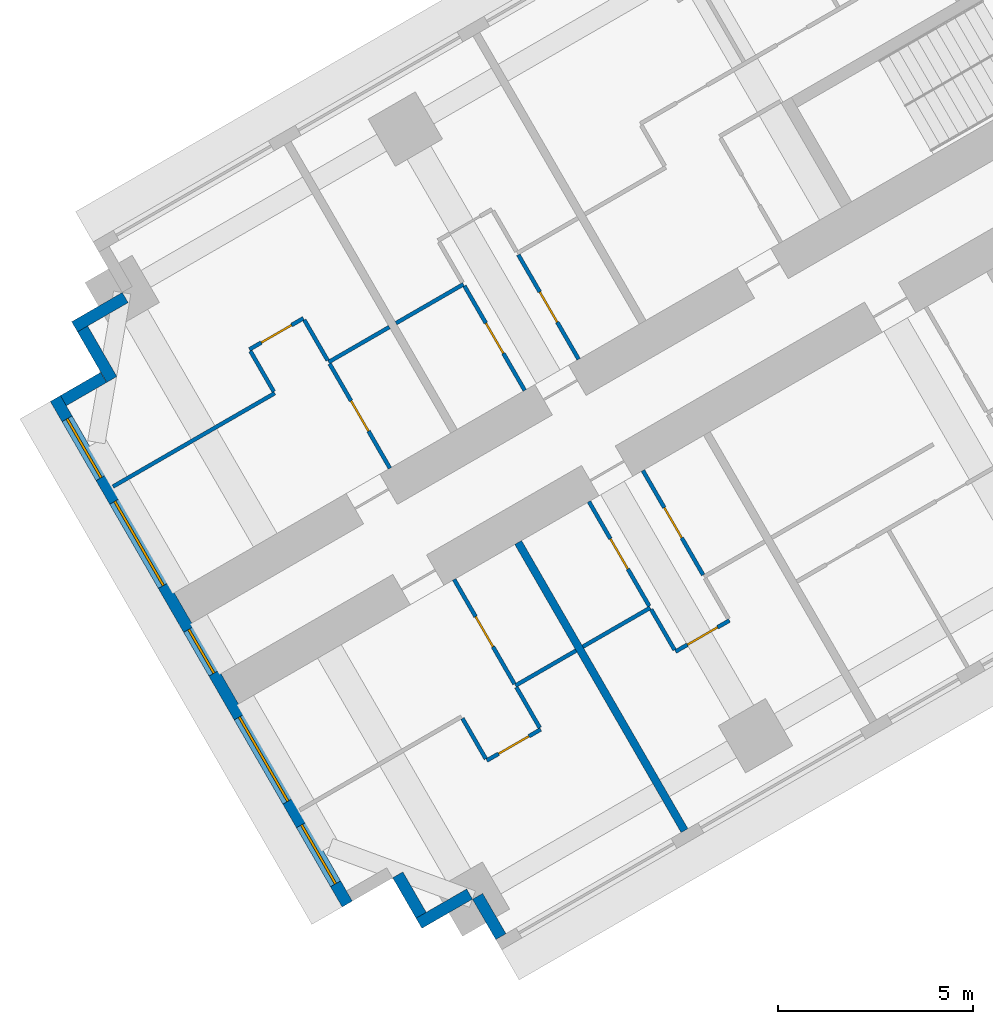
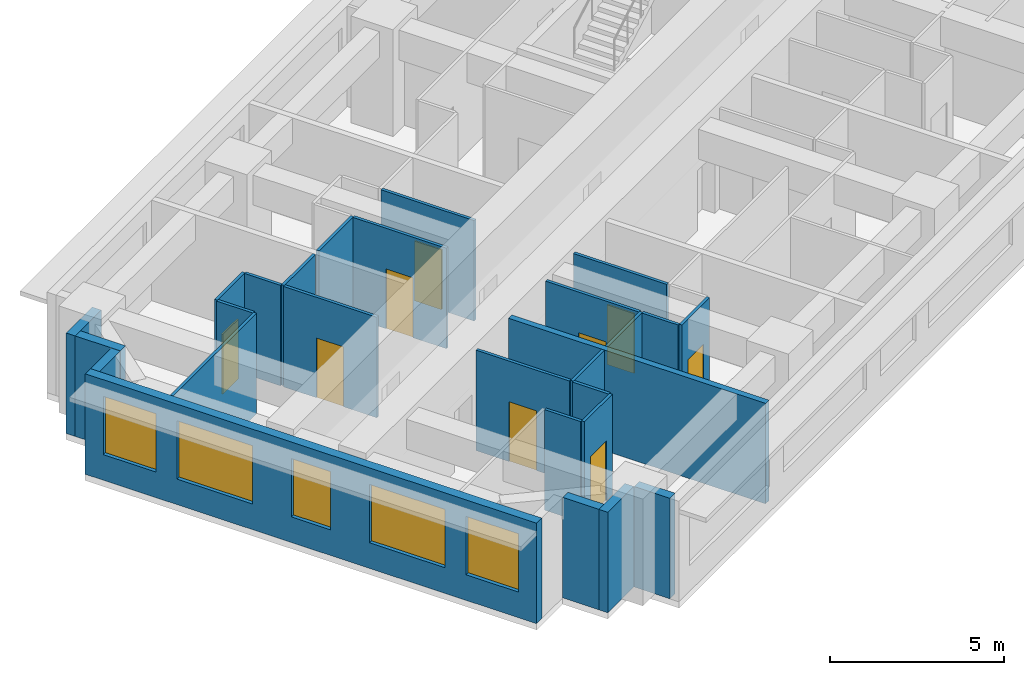
# One storey, part 3 of 16: 27 walls, 9 doors, 5 windows, 14 openings.
"""IFC4 building model written with IfcOpenShell, lengths in metres."""

from ifc_helpers import new_model, si_unit, direction, frame, frame_2d, origin, place, context, subcontext, project, spatial, rectangle, extrude, material, layer, layer_set, type_object, element, fill, save


model = new_model("IFC4")

# Units and contexts
model_context = context("Model", 3, precision=1e-05, world=origin(), true_north=direction((0.0, 1.0)))
body_context = subcontext(model_context, "Body", "Model", "MODEL_VIEW")
ifc_project = project(units=[si_unit("LENGTHUNIT", "METRE"), si_unit("AREAUNIT", "SQUARE_METRE"), si_unit("VOLUMEUNIT", "CUBIC_METRE"), si_unit("PLANEANGLEUNIT", "RADIAN"), si_unit("MASSUNIT", "GRAM", prefix="KILO")], contexts=[model_context])

# Site, building, storey
site_placement = place(None, origin())
site = spatial("IfcSite", under=ifc_project, at=site_placement, CompositionType="ELEMENT")
building_placement = place(site_placement, origin())
building = spatial("IfcBuilding", under=site, at=building_placement, Name="Impinga Residences", CompositionType="ELEMENT")
storey_placement = place(building_placement, frame((0.0, 0.0, 56.0)))
storey = spatial("IfcBuildingStorey", under=building, at=storey_placement, Name="L13", CompositionType="ELEMENT", Elevation=56.0)

# Walls
ifc_material_1 = material(Name="Terracotta rainscreen on blockwork", Category="masonry")
ifc_layer_1 = layer(ifc_material_1, 0.300048828125)
ifc_layer_set_1 = layer_set([ifc_layer_1], Name="EW1 external wall, terracotta rainscreen on blockwork 300")
wall_type_1 = type_object("IfcWallType", Name="EW1 external wall, terracotta rainscreen on blockwork 300", PredefinedType="SOLIDWALL", material=ifc_layer_set_1)
wall_1_placement = place(storey_placement, frame((-33.7685546875, -31.274169921875, 0.0), z_axis=(0.0, 0.0, 1.0), x_axis=(-0.499940577336, 0.866059708757, 0.0)))
element("IfcWall", 1, at=wall_1_placement, inside=storey, type_object=wall_type_1, Name="External wall EW1 L13", PredefinedType="SOLIDWALL", context=body_context, shape_type="SweptSolid", body=[
    extrude(rectangle(XDim=1.195068359375, YDim=0.300048828125, at=frame_2d((0.59765625, 0.0))), origin(), (0.0, 0.0, 1.0), 3.530029296875),
])
wall_2_placement = place(storey_placement, frame((-34.573486328125, -30.18017578125, 0.0), z_axis=(0.0, 0.0, 1.0), x_axis=(-0.866031096941, -0.499990139034, 0.0)))
element("IfcWall", 2, at=wall_2_placement, inside=storey, type_object=wall_type_1, Name="External wall EW1 L13", PredefinedType="SOLIDWALL", context=body_context, shape_type="SweptSolid", body=[
    extrude(rectangle(XDim=1.5, YDim=0.300048828125, at=frame_2d((0.75, 0.0))), origin(), (0.0, 0.0, 1.0), 3.530029296875),
])
wall_3_placement = place(storey_placement, frame((-35.817626953125, -30.72509765625, 0.0), z_axis=(0.0, 0.0, 1.0), x_axis=(-0.499969057507, 0.866043267704, 0.0)))
element("IfcWall", 3, at=wall_3_placement, inside=storey, type_object=wall_type_1, Name="External wall EW1 L13", PredefinedType="SOLIDWALL", context=body_context, shape_type="SweptSolid", body=[
    extrude(rectangle(XDim=1.19970703125, YDim=0.300048828125, at=frame_2d((0.599853515625, 0.0))), origin(), (0.0, 0.0, 1.0), 3.530029296875),
])

# Wall, openings, windows
wall_4_placement = place(storey_placement, frame((-37.716552734375, -30.43603515625, 0.0), z_axis=(0.0, 0.0, 1.0), x_axis=(-0.499997186618, 0.866027028085, 0.0)))
wall_4 = element("IfcWall", 4, at=wall_4_placement, inside=storey, type_object=wall_type_1, Name="External wall EW1 L13", PredefinedType="SOLIDWALL", context=body_context, shape_type="SweptSolid", body=[
    extrude(rectangle(XDim=15.0, YDim=0.300048828125, at=frame_2d((7.5, 0.0))), origin(), (0.0, 0.0, 1.0), 3.530029296875),
])
opening_1_placement = place(wall_4_placement, frame((0.60009765625, 0.0, 0.89990234375)))
opening_1 = element("IfcOpeningElement", 5, at=opening_1_placement, cuts=wall_4, Name="Opening W1", PredefinedType="OPENING", context=body_context, shape_type="SweptSolid", body=[
    extrude(rectangle(XDim=1.75, YDim=2.050048828125, at=frame_2d((0.875, 1.02490234375))), frame((0.0, 0.159912109375, 0.0), z_axis=(0.0, -1.0, 0.0), x_axis=(1.0, 0.0, 0.0)), (0.0, 0.0, 1.0), 0.320068359375),
])
opening_2_placement = place(wall_4_placement, frame((3.050048828125, 0.0, 0.89990234375)))
opening_2 = element("IfcOpeningElement", 6, at=opening_2_placement, cuts=wall_4, Name="Opening W2", PredefinedType="OPENING", context=body_context, shape_type="SweptSolid", body=[
    extrude(rectangle(XDim=2.5, YDim=2.050048828125, at=frame_2d((1.25, 1.02490234375))), frame((0.0, 0.159912109375, 0.0), z_axis=(0.0, -1.0, 0.0), x_axis=(1.0, 0.0, 0.0)), (0.0, 0.0, 1.0), 0.320068359375),
])
opening_3_placement = place(wall_4_placement, frame((6.85009765625, 0.0, 0.89990234375)))
opening_3 = element("IfcOpeningElement", 7, at=opening_3_placement, cuts=wall_4, Name="Opening WE1", PredefinedType="OPENING", context=body_context, shape_type="SweptSolid", body=[
    extrude(rectangle(XDim=1.300048828125, YDim=2.050048828125, at=frame_2d((0.64990234375, 1.02490234375))), frame((0.0, 0.159912109375, 0.0), z_axis=(0.0, -1.0, 0.0), x_axis=(1.0, 0.0, 0.0)), (0.0, 0.0, 1.0), 0.320068359375),
])
opening_4_placement = place(wall_4_placement, frame((9.449951171875, 0.0, 0.89990234375)))
opening_4 = element("IfcOpeningElement", 8, at=opening_4_placement, cuts=wall_4, Name="Opening W2", PredefinedType="OPENING", context=body_context, shape_type="SweptSolid", body=[
    extrude(rectangle(XDim=2.5, YDim=2.050048828125, at=frame_2d((1.25, 1.02490234375))), frame((0.0, 0.159912109375, 0.0), z_axis=(0.0, -1.0, 0.0), x_axis=(1.0, 0.0, 0.0)), (0.0, 0.0, 1.0), 0.320068359375),
])
opening_5_placement = place(wall_4_placement, frame((12.64990234375, 0.0, 0.89990234375)))
opening_5 = element("IfcOpeningElement", 9, at=opening_5_placement, cuts=wall_4, Name="Opening W1", PredefinedType="OPENING", context=body_context, shape_type="SweptSolid", body=[
    extrude(rectangle(XDim=1.75, YDim=2.050048828125, at=frame_2d((0.875, 1.02490234375))), frame((0.0, 0.159912109375, 0.0), z_axis=(0.0, -1.0, 0.0), x_axis=(1.0, 0.0, 0.0)), (0.0, 0.0, 1.0), 0.320068359375),
])
ifc_material_2 = material(Name="Aluminium window, clear double glazing", Category="aluminium")
window_type_1 = type_object("IfcWindowType", Name="W1 ribbon window 1750x2050", PartitioningType="SINGLE_PANEL", PredefinedType="WINDOW", material=ifc_material_2)
window_1_placement = place(opening_1_placement, origin())
window_1 = element("IfcWindow", 10, at=window_1_placement, inside=storey, type_object=window_type_1, Name="Window L13", OverallHeight=2.050048828125, OverallWidth=1.75, PartitioningType="SINGLE_PANEL", PredefinedType="WINDOW", context=body_context, shape_type="SweptSolid", body=[
    extrude(rectangle(XDim=1.75, YDim=2.050048828125, at=frame_2d((0.875, 1.02490234375))), frame((0.0, 0.030029296875, 0.0), z_axis=(0.0, -1.0, 0.0), x_axis=(1.0, 0.0, 0.0)), (0.0, 0.0, 1.0), 0.06005859375),
])
fill(opening_1, window_1)
window_2_placement = place(opening_5_placement, origin())
window_2 = element("IfcWindow", 11, at=window_2_placement, inside=storey, type_object=window_type_1, Name="Window L13", OverallHeight=2.050048828125, OverallWidth=1.75, PartitioningType="SINGLE_PANEL", PredefinedType="WINDOW", context=body_context, shape_type="SweptSolid", body=[
    extrude(rectangle(XDim=1.75, YDim=2.050048828125, at=frame_2d((0.875, 1.02490234375))), frame((0.0, 0.030029296875, 0.0), z_axis=(0.0, -1.0, 0.0), x_axis=(1.0, 0.0, 0.0)), (0.0, 0.0, 1.0), 0.06005859375),
])
fill(opening_5, window_2)
window_type_2 = type_object("IfcWindowType", Name="W2 ribbon window 2500x2050", PartitioningType="SINGLE_PANEL", PredefinedType="WINDOW", material=ifc_material_2)
window_3_placement = place(opening_2_placement, origin())
window_3 = element("IfcWindow", 12, at=window_3_placement, inside=storey, type_object=window_type_2, Name="Window L13", OverallHeight=2.050048828125, OverallWidth=2.5, PartitioningType="SINGLE_PANEL", PredefinedType="WINDOW", context=body_context, shape_type="SweptSolid", body=[
    extrude(rectangle(XDim=2.5, YDim=2.050048828125, at=frame_2d((1.25, 1.02490234375))), frame((0.0, 0.030029296875, 0.0), z_axis=(0.0, -1.0, 0.0), x_axis=(1.0, 0.0, 0.0)), (0.0, 0.0, 1.0), 0.06005859375),
])
fill(opening_2, window_3)
window_4_placement = place(opening_4_placement, origin())
window_4 = element("IfcWindow", 13, at=window_4_placement, inside=storey, type_object=window_type_2, Name="Window L13", OverallHeight=2.050048828125, OverallWidth=2.5, PartitioningType="SINGLE_PANEL", PredefinedType="WINDOW", context=body_context, shape_type="SweptSolid", body=[
    extrude(rectangle(XDim=2.5, YDim=2.050048828125, at=frame_2d((1.25, 1.02490234375))), frame((0.0, 0.030029296875, 0.0), z_axis=(0.0, -1.0, 0.0), x_axis=(1.0, 0.0, 0.0)), (0.0, 0.0, 1.0), 0.06005859375),
])
fill(opening_4, window_4)
window_type_3 = type_object("IfcWindowType", Name="WE1 corridor window 1300x2050", PartitioningType="SINGLE_PANEL", PredefinedType="WINDOW", material=ifc_material_2)
window_5_placement = place(opening_3_placement, origin())
window_5 = element("IfcWindow", 14, at=window_5_placement, inside=storey, type_object=window_type_3, Name="Window L13", OverallHeight=2.050048828125, OverallWidth=1.300048828125, PartitioningType="SINGLE_PANEL", PredefinedType="WINDOW", context=body_context, shape_type="SweptSolid", body=[
    extrude(rectangle(XDim=1.300048828125, YDim=2.050048828125, at=frame_2d((0.64990234375, 1.02490234375))), frame((0.0, 0.030029296875, 0.0), z_axis=(0.0, -1.0, 0.0), x_axis=(1.0, 0.0, 0.0)), (0.0, 0.0, 1.0), 0.06005859375),
])
fill(opening_3, window_5)

# Walls
wall_5_placement = place(storey_placement, frame((-45.01171875, -17.50048828125, 0.0), z_axis=(0.0, 0.0, 1.0), x_axis=(0.866059708757, 0.499940577336, 0.0)))
element("IfcWall", 15, at=wall_5_placement, inside=storey, type_object=wall_type_1, Name="External wall EW1 L13", PredefinedType="SOLIDWALL", context=body_context, shape_type="SweptSolid", body=[
    extrude(rectangle(XDim=1.195068359375, YDim=0.300048828125, at=frame_2d((0.59765625, 0.0))), origin(), (0.0, 0.0, 1.0), 3.530029296875),
])
for number, where, z_axis, x_axis, name in (
    (16, (-43.767578125, -16.955322265625, 0.0), (0.0, 0.0, 1.0), (-0.499990139034, 0.866031096941, 0.0), "External wall EW1 L13"),
    (17, (-44.722412109375, -15.6015625, 0.0), (0.0, 0.0, 1.0), (0.866031096941, 0.499990139034, 0.0), "External wall EW1 L13"),
):
    element("IfcWall", number, at=place(storey_placement, frame(where, z_axis=z_axis, x_axis=x_axis)), inside=storey, type_object=wall_type_1, Name=name, PredefinedType="SOLIDWALL", context=body_context, shape_type="SweptSolid", body=[
        extrude(rectangle(XDim=1.5, YDim=0.300048828125, at=frame_2d((0.75, 0.0))), origin(), (0.0, 0.0, 1.0), 3.530029296875),
    ])
ifc_material_3 = material(Name="Gypsum board on steel studs", Category="steel")
ifc_layer_2 = layer(ifc_material_3, 0.10009765625)
ifc_layer_set_2 = layer_set([ifc_layer_2], Name="Gypsum board on steel studs")
wall_type_2 = type_object("IfcWallType", Name="IP1 partition 100", PredefinedType="PARTITIONING", material=ifc_layer_set_2)
wall_6_placement = place(storey_placement, frame((-29.93017578125, -22.82275390625, 0.0), z_axis=(0.0, 0.0, 1.0), x_axis=(-0.866010750942, -0.50002537861, 0.0)))
element("IfcWall", 18, at=wall_6_placement, inside=storey, type_object=wall_type_2, Name="Partition L13-WA4:DIV1", PredefinedType="PARTITIONING", context=body_context, shape_type="SweptSolid", body=[
    extrude(rectangle(XDim=2.0, YDim=0.10009765625, at=frame_2d((1.0, 0.0))), origin(), (0.0, 0.0, 1.0), 3.530029296875),
])

# Wall, opening, door
wall_7_placement = place(storey_placement, frame((-27.89453125, -23.1484375, 0.0), z_axis=(0.0, 0.0, 1.0), x_axis=(-0.865989903783, -0.500061482766, 0.0)))
wall_7 = element("IfcWall", 19, at=wall_7_placement, inside=storey, type_object=wall_type_2, Name="Partition L13-WA4:STRIP", PredefinedType="PARTITIONING", context=body_context, shape_type="SweptSolid", body=[
    extrude(rectangle(XDim=1.599853515625, YDim=0.10009765625, at=frame_2d((0.7998046875, 0.0))), origin(), (0.0, 0.0, 1.0), 3.530029296875),
])
opening_6_placement = place(wall_7_placement, frame((0.35009765625, 0.0, 0.0)))
opening_6 = element("IfcOpeningElement", 20, at=opening_6_placement, cuts=wall_7, Name="Opening D2", PredefinedType="OPENING", context=body_context, shape_type="SweptSolid", body=[
    extrude(rectangle(XDim=0.89990234375, YDim=2.10009765625, at=frame_2d((0.449951171875, 1.050048828125))), frame((0.0, 0.06005859375, 0.0), z_axis=(0.0, -1.0, 0.0), x_axis=(1.0, 0.0, 0.0)), (0.0, 0.0, 1.0), 0.1201171875),
])
ifc_material_4 = material(Name="Timber door set", Category="wood")
door_type = type_object("IfcDoorType", Name="D2 internal door 900x2100", OperationType="SINGLE_SWING_LEFT", PredefinedType="DOOR", material=ifc_material_4)
door_1_placement = place(opening_6_placement, origin())
door_1 = element("IfcDoor", 21, at=door_1_placement, inside=storey, type_object=door_type, Name="Apartment L13-WA4 room door", OperationType="SINGLE_SWING_LEFT", OverallHeight=2.10009765625, OverallWidth=0.89990234375, PredefinedType="DOOR", context=body_context, shape_type="SweptSolid", body=[
    extrude(rectangle(XDim=0.89990234375, YDim=2.10009765625, at=frame_2d((0.449951171875, 1.050048828125))), frame((0.0, 0.02490234375, 0.0), z_axis=(0.0, -1.0, 0.0), x_axis=(1.0, 0.0, 0.0)), (0.0, 0.0, 1.0), 0.050048828125),
])
fill(opening_6, door_1)

# Wall
wall_8_placement = place(storey_placement, frame((-29.905029296875, -22.865966796875, 0.0), z_axis=(0.0, 0.0, 1.0), x_axis=(0.499880961361, -0.866094119867, 0.0)))
element("IfcWall", 22, at=wall_8_placement, inside=storey, type_object=wall_type_2, Name="Partition L13-WA4:SE1", PredefinedType="PARTITIONING", context=body_context, shape_type="SweptSolid", body=[
    extrude(rectangle(XDim=1.199951171875, YDim=0.10009765625, at=frame_2d((0.60009765625, 0.0))), origin(), (0.0, 0.0, 1.0), 3.530029296875),
])

# Wall, opening, door
wall_9_placement = place(storey_placement, frame((-30.119384765625, -19.294677734375, 0.0), z_axis=(0.0, 0.0, 1.0), x_axis=(0.49999285859, -0.86602952684, 0.0)))
wall_9 = element("IfcWall", 23, at=wall_9_placement, inside=storey, type_object=wall_type_2, Name="Partition L13-WA4:IB1", PredefinedType="PARTITIONING", context=body_context, shape_type="SweptSolid", body=[
    extrude(rectangle(XDim=3.10009765625, YDim=0.10009765625, at=frame_2d((1.550048828125, 0.0))), origin(), (0.0, 0.0, 1.0), 3.530029296875),
])
opening_7_placement = place(wall_9_placement, frame((1.10009765625, 0.0, 0.0)))
opening_7 = element("IfcOpeningElement", 24, at=opening_7_placement, cuts=wall_9, Name="Opening D2", PredefinedType="OPENING", context=body_context, shape_type="SweptSolid", body=[
    extrude(rectangle(XDim=0.89990234375, YDim=2.10009765625, at=frame_2d((0.449951171875, 1.050048828125))), frame((0.0, 0.06005859375, 0.0), z_axis=(0.0, -1.0, 0.0), x_axis=(1.0, 0.0, 0.0)), (0.0, 0.0, 1.0), 0.1201171875),
])
door_2_placement = place(opening_7_placement, origin())
door_2 = element("IfcDoor", 25, at=door_2_placement, inside=storey, type_object=door_type, Name="Apartment L13-WA4 bathroom door", OperationType="SINGLE_SWING_LEFT", OverallHeight=2.10009765625, OverallWidth=0.89990234375, PredefinedType="DOOR", context=body_context, shape_type="SweptSolid", body=[
    extrude(rectangle(XDim=0.89990234375, YDim=2.10009765625, at=frame_2d((0.449951171875, 1.050048828125))), frame((0.0, 0.02490234375, 0.0), z_axis=(0.0, -1.0, 0.0), x_axis=(1.0, 0.0, 0.0)), (0.0, 0.0, 1.0), 0.050048828125),
])
fill(opening_7, door_2)

wall_10_placement = place(storey_placement, frame((-31.505126953125, -20.0947265625, 0.0), z_axis=(0.0, 0.0, 1.0), x_axis=(0.500026960575, -0.86600983753, 0.0)))
wall_10 = element("IfcWall", 26, at=wall_10_placement, inside=storey, type_object=wall_type_2, Name="Partition L13-WA4:IB2", PredefinedType="PARTITIONING", context=body_context, shape_type="SweptSolid", body=[
    extrude(rectangle(XDim=3.099853515625, YDim=0.10009765625, at=frame_2d((1.5498046875, 0.0))), origin(), (0.0, 0.0, 1.0), 3.530029296875),
])
opening_8_placement = place(wall_10_placement, frame((1.10009765625, 0.0, 0.0)))
opening_8 = element("IfcOpeningElement", 27, at=opening_8_placement, cuts=wall_10, Name="Opening D2", PredefinedType="OPENING", context=body_context, shape_type="SweptSolid", body=[
    extrude(rectangle(XDim=0.89990234375, YDim=2.10009765625, at=frame_2d((0.449951171875, 1.050048828125))), frame((0.0, 0.06005859375, 0.0), z_axis=(0.0, -1.0, 0.0), x_axis=(1.0, 0.0, 0.0)), (0.0, 0.0, 1.0), 0.1201171875),
])
door_3_placement = place(opening_8_placement, origin())
door_3 = element("IfcDoor", 28, at=door_3_placement, inside=storey, type_object=door_type, Name="Apartment L13-WA4 WC door", OperationType="SINGLE_SWING_LEFT", OverallHeight=2.10009765625, OverallWidth=0.89990234375, PredefinedType="DOOR", context=body_context, shape_type="SweptSolid", body=[
    extrude(rectangle(XDim=0.89990234375, YDim=2.10009765625, at=frame_2d((0.449951171875, 1.050048828125))), frame((0.0, 0.02490234375, 0.0), z_axis=(0.0, -1.0, 0.0), x_axis=(1.0, 0.0, 0.0)), (0.0, 0.0, 1.0), 0.050048828125),
])
fill(opening_8, door_3)

# Wall
wall_11_placement = place(storey_placement, frame((-31.835205078125, -23.922607421875, 0.0), z_axis=(0.0, 0.0, 1.0), x_axis=(-0.865989075817, -0.500062916607, 0.0)))
element("IfcWall", 29, at=wall_11_placement, inside=storey, type_object=wall_type_2, Name="Partition L13-WA5:DIV0", PredefinedType="PARTITIONING", context=body_context, shape_type="SweptSolid", body=[
    extrude(rectangle(XDim=1.800048828125, YDim=0.10009765625, at=frame_2d((0.89990234375, 0.0))), origin(), (0.0, 0.0, 1.0), 3.530029296875),
])

# Wall, opening, door
wall_12_placement = place(storey_placement, frame((-32.744140625, -25.948486328125, 0.0), z_axis=(0.0, 0.0, 1.0), x_axis=(-0.866028054938, -0.499995408039, 0.0)))
wall_12 = element("IfcWall", 30, at=wall_12_placement, inside=storey, type_object=wall_type_2, Name="Partition L13-WA5:STRIP", PredefinedType="PARTITIONING", context=body_context, shape_type="SweptSolid", body=[
    extrude(rectangle(XDim=1.60009765625, YDim=0.10009765625, at=frame_2d((0.800048828125, 0.0))), origin(), (0.0, 0.0, 1.0), 3.530029296875),
])
opening_9_placement = place(wall_12_placement, frame((0.35009765625, 0.0, 0.0)))
opening_9 = element("IfcOpeningElement", 31, at=opening_9_placement, cuts=wall_12, Name="Opening D2", PredefinedType="OPENING", context=body_context, shape_type="SweptSolid", body=[
    extrude(rectangle(XDim=0.89990234375, YDim=2.10009765625, at=frame_2d((0.449951171875, 1.050048828125))), frame((0.0, 0.06005859375, 0.0), z_axis=(0.0, -1.0, 0.0), x_axis=(1.0, 0.0, 0.0)), (0.0, 0.0, 1.0), 0.1201171875),
])
door_4_placement = place(opening_9_placement, origin())
door_4 = element("IfcDoor", 32, at=door_4_placement, inside=storey, type_object=door_type, Name="Apartment L13-WA5 room door", OperationType="SINGLE_SWING_LEFT", OverallHeight=2.10009765625, OverallWidth=0.89990234375, PredefinedType="DOOR", context=body_context, shape_type="SweptSolid", body=[
    extrude(rectangle(XDim=0.89990234375, YDim=2.10009765625, at=frame_2d((0.449951171875, 1.050048828125))), frame((0.0, 0.02490234375, 0.0), z_axis=(0.0, -1.0, 0.0), x_axis=(1.0, 0.0, 0.0)), (0.0, 0.0, 1.0), 0.050048828125),
])
fill(opening_9, door_4)

# Walls
for number, where, z_axis, x_axis, name in (
    (33, (-33.369140625, -24.865966796875, 0.0), (0.0, 0.0, 1.0), (0.500033551112, -0.866006032174, 0.0), "Partition L13-WA5:SE0"),
    (34, (-34.7548828125, -25.666015625, 0.0), (0.0, 0.0, 1.0), (0.500033551112, -0.866006032174, 0.0), "Partition L13-WA5:SE1"),
):
    element("IfcWall", number, at=place(storey_placement, frame(where, z_axis=z_axis, x_axis=x_axis)), inside=storey, type_object=wall_type_2, Name=name, PredefinedType="PARTITIONING", context=body_context, shape_type="SweptSolid", body=[
        extrude(rectangle(XDim=1.2001953125, YDim=0.10009765625, at=frame_2d((0.60009765625, 0.0))), origin(), (0.0, 0.0, 1.0), 3.530029296875),
    ])

# Wall, opening, door
wall_13_placement = place(storey_placement, frame((-34.96923828125, -22.0947265625, 0.0), z_axis=(0.0, 0.0, 1.0), x_axis=(0.500026960575, -0.86600983753, 0.0)))
wall_13 = element("IfcWall", 35, at=wall_13_placement, inside=storey, type_object=wall_type_2, Name="Partition L13-WA5:IB1", PredefinedType="PARTITIONING", context=body_context, shape_type="SweptSolid", body=[
    extrude(rectangle(XDim=3.099853515625, YDim=0.10009765625, at=frame_2d((1.5498046875, 0.0))), origin(), (0.0, 0.0, 1.0), 3.530029296875),
])
opening_10_placement = place(wall_13_placement, frame((1.10009765625, 0.0, 0.0)))
opening_10 = element("IfcOpeningElement", 36, at=opening_10_placement, cuts=wall_13, Name="Opening D2", PredefinedType="OPENING", context=body_context, shape_type="SweptSolid", body=[
    extrude(rectangle(XDim=0.89990234375, YDim=2.10009765625, at=frame_2d((0.449951171875, 1.050048828125))), frame((0.0, 0.06005859375, 0.0), z_axis=(0.0, -1.0, 0.0), x_axis=(1.0, 0.0, 0.0)), (0.0, 0.0, 1.0), 0.1201171875),
])
door_5_placement = place(opening_10_placement, origin())
door_5 = element("IfcDoor", 37, at=door_5_placement, inside=storey, type_object=door_type, Name="Apartment L13-WA5 bathroom door", OperationType="SINGLE_SWING_LEFT", OverallHeight=2.10009765625, OverallWidth=0.89990234375, PredefinedType="DOOR", context=body_context, shape_type="SweptSolid", body=[
    extrude(rectangle(XDim=0.89990234375, YDim=2.10009765625, at=frame_2d((0.449951171875, 1.050048828125))), frame((0.0, 0.02490234375, 0.0), z_axis=(0.0, -1.0, 0.0), x_axis=(1.0, 0.0, 0.0)), (0.0, 0.0, 1.0), 0.050048828125),
])
fill(opening_10, door_5)

# Wall
wall_14_placement = place(storey_placement, frame((-34.72998046875, -14.5087890625, 0.0), z_axis=(0.0, 0.0, 1.0), x_axis=(-0.866041268327, -0.499972520799, 0.0)))
element("IfcWall", 38, at=wall_14_placement, inside=storey, type_object=wall_type_2, Name="Partition L13-WF3:DIV1", PredefinedType="PARTITIONING", context=body_context, shape_type="SweptSolid", body=[
    extrude(rectangle(XDim=2.0, YDim=0.10009765625, at=frame_2d((1.0, 0.0))), origin(), (0.0, 0.0, 1.0), 3.530029296875),
])

# Wall, opening, door
wall_15_placement = place(storey_placement, frame((-31.76953125, -16.436767578125, 0.0), z_axis=(0.0, 0.0, 1.0), x_axis=(-0.499967891604, 0.866043940782, 0.0)))
wall_15 = element("IfcWall", 39, at=wall_15_placement, inside=storey, type_object=wall_type_2, Name="Partition L13-WF3:IB1", PredefinedType="PARTITIONING", context=body_context, shape_type="SweptSolid", body=[
    extrude(rectangle(XDim=3.099853515625, YDim=0.10009765625, at=frame_2d((1.5498046875, 0.0))), origin(), (0.0, 0.0, 1.0), 3.530029296875),
])
opening_11_placement = place(wall_15_placement, frame((1.10009765625, 0.0, 0.0)))
opening_11 = element("IfcOpeningElement", 40, at=opening_11_placement, cuts=wall_15, Name="Opening D2", PredefinedType="OPENING", context=body_context, shape_type="SweptSolid", body=[
    extrude(rectangle(XDim=0.89990234375, YDim=2.10009765625, at=frame_2d((0.449951171875, 1.050048828125))), frame((0.0, 0.06005859375, 0.0), z_axis=(0.0, -1.0, 0.0), x_axis=(1.0, 0.0, 0.0)), (0.0, 0.0, 1.0), 0.1201171875),
])
door_6_placement = place(opening_11_placement, origin())
door_6 = element("IfcDoor", 41, at=door_6_placement, inside=storey, type_object=door_type, Name="Apartment L13-WF3 bathroom door", OperationType="SINGLE_SWING_LEFT", OverallHeight=2.10009765625, OverallWidth=0.89990234375, PredefinedType="DOOR", context=body_context, shape_type="SweptSolid", body=[
    extrude(rectangle(XDim=0.89990234375, YDim=2.10009765625, at=frame_2d((0.449951171875, 1.050048828125))), frame((0.0, 0.02490234375, 0.0), z_axis=(0.0, -1.0, 0.0), x_axis=(1.0, 0.0, 0.0)), (0.0, 0.0, 1.0), 0.050048828125),
])
fill(opening_11, door_6)

wall_16_placement = place(storey_placement, frame((-33.155029296875, -17.23681640625, 0.0), z_axis=(0.0, 0.0, 1.0), x_axis=(-0.500026960575, 0.86600983753, 0.0)))
wall_16 = element("IfcWall", 42, at=wall_16_placement, inside=storey, type_object=wall_type_2, Name="Partition L13-WF3:IB2", PredefinedType="PARTITIONING", context=body_context, shape_type="SweptSolid", body=[
    extrude(rectangle(XDim=3.099853515625, YDim=0.10009765625, at=frame_2d((1.5498046875, 0.0))), origin(), (0.0, 0.0, 1.0), 3.530029296875),
])
opening_12_placement = place(wall_16_placement, frame((1.10009765625, 0.0, 0.0)))
opening_12 = element("IfcOpeningElement", 43, at=opening_12_placement, cuts=wall_16, Name="Opening D2", PredefinedType="OPENING", context=body_context, shape_type="SweptSolid", body=[
    extrude(rectangle(XDim=0.89990234375, YDim=2.10009765625, at=frame_2d((0.449951171875, 1.050048828125))), frame((0.0, 0.06005859375, 0.0), z_axis=(0.0, -1.0, 0.0), x_axis=(1.0, 0.0, 0.0)), (0.0, 0.0, 1.0), 0.1201171875),
])
door_7_placement = place(opening_12_placement, origin())
door_7 = element("IfcDoor", 44, at=door_7_placement, inside=storey, type_object=door_type, Name="Apartment L13-WF3 WC door", OperationType="SINGLE_SWING_LEFT", OverallHeight=2.10009765625, OverallWidth=0.89990234375, PredefinedType="DOOR", context=body_context, shape_type="SweptSolid", body=[
    extrude(rectangle(XDim=0.89990234375, YDim=2.10009765625, at=frame_2d((0.449951171875, 1.050048828125))), frame((0.0, 0.02490234375, 0.0), z_axis=(0.0, -1.0, 0.0), x_axis=(1.0, 0.0, 0.0)), (0.0, 0.0, 1.0), 0.050048828125),
])
fill(opening_12, door_7)

# Walls
wall_17_placement = place(storey_placement, frame((-36.63525390625, -15.60888671875, 0.0), z_axis=(0.0, 0.0, 1.0), x_axis=(-0.866047807691, -0.499961193289, 0.0)))
element("IfcWall", 45, at=wall_17_placement, inside=storey, type_object=wall_type_2, Name="Partition L13-WF4:DIV0", PredefinedType="PARTITIONING", context=body_context, shape_type="SweptSolid", body=[
    extrude(rectangle(XDim=1.800048828125, YDim=0.10009765625, at=frame_2d((0.89990234375, 0.0))), origin(), (0.0, 0.0, 1.0), 3.530029296875),
])
wall_18_placement = place(storey_placement, frame((-39.579833984375, -17.308837890625, 0.0), z_axis=(0.0, 0.0, 1.0), x_axis=(-0.866037363387, -0.499979284789, 0.0)))
element("IfcWall", 46, at=wall_18_placement, inside=storey, type_object=wall_type_2, Name="Partition L13-WF4:DIV1", PredefinedType="PARTITIONING", context=body_context, shape_type="SweptSolid", body=[
    extrude(rectangle(XDim=4.800048828125, YDim=0.10009765625, at=frame_2d((2.39990234375, 0.0))), origin(), (0.0, 0.0, 1.0), 3.530029296875),
])

# Wall, opening, door
wall_19_placement = place(storey_placement, frame((-38.84423828125, -15.383056640625, 0.0), z_axis=(0.0, 0.0, 1.0), x_axis=(-0.865989903783, -0.500061482766, 0.0)))
wall_19 = element("IfcWall", 47, at=wall_19_placement, inside=storey, type_object=wall_type_2, Name="Partition L13-WF4:STRIP", PredefinedType="PARTITIONING", context=body_context, shape_type="SweptSolid", body=[
    extrude(rectangle(XDim=1.599853515625, YDim=0.10009765625, at=frame_2d((0.7998046875, 0.0))), origin(), (0.0, 0.0, 1.0), 3.530029296875),
])
opening_13_placement = place(wall_19_placement, frame((0.35009765625, 0.0, 0.0)))
opening_13 = element("IfcOpeningElement", 48, at=opening_13_placement, cuts=wall_19, Name="Opening D2", PredefinedType="OPENING", context=body_context, shape_type="SweptSolid", body=[
    extrude(rectangle(XDim=0.89990234375, YDim=2.10009765625, at=frame_2d((0.449951171875, 1.050048828125))), frame((0.0, 0.06005859375, 0.0), z_axis=(0.0, -1.0, 0.0), x_axis=(1.0, 0.0, 0.0)), (0.0, 0.0, 1.0), 0.1201171875),
])
door_8_placement = place(opening_13_placement, origin())
door_8 = element("IfcDoor", 49, at=door_8_placement, inside=storey, type_object=door_type, Name="Apartment L13-WF4 room door", OperationType="SINGLE_SWING_LEFT", OverallHeight=2.10009765625, OverallWidth=0.89990234375, PredefinedType="DOOR", context=body_context, shape_type="SweptSolid", body=[
    extrude(rectangle(XDim=0.89990234375, YDim=2.10009765625, at=frame_2d((0.449951171875, 1.050048828125))), frame((0.0, 0.02490234375, 0.0), z_axis=(0.0, -1.0, 0.0), x_axis=(1.0, 0.0, 0.0)), (0.0, 0.0, 1.0), 0.050048828125),
])
fill(opening_13, door_8)

# Walls
wall_20_placement = place(storey_placement, frame((-38.21923828125, -16.465576171875, 0.0), z_axis=(0.0, 0.0, 1.0), x_axis=(-0.499880961361, 0.866094119867, 0.0)))
element("IfcWall", 50, at=wall_20_placement, inside=storey, type_object=wall_type_2, Name="Partition L13-WF4:SE0", PredefinedType="PARTITIONING", context=body_context, shape_type="SweptSolid", body=[
    extrude(rectangle(XDim=1.199951171875, YDim=0.10009765625, at=frame_2d((0.60009765625, 0.0))), origin(), (0.0, 0.0, 1.0), 3.530029296875),
])
wall_21_placement = place(storey_placement, frame((-39.604736328125, -17.265625, 0.0), z_axis=(0.0, 0.0, 1.0), x_axis=(-0.500033551112, 0.866006032174, 0.0)))
element("IfcWall", 51, at=wall_21_placement, inside=storey, type_object=wall_type_2, Name="Partition L13-WF4:SE1", PredefinedType="PARTITIONING", context=body_context, shape_type="SweptSolid", body=[
    extrude(rectangle(XDim=1.2001953125, YDim=0.10009765625, at=frame_2d((0.60009765625, 0.0))), origin(), (0.0, 0.0, 1.0), 3.530029296875),
])

# Wall, opening, door
wall_22_placement = place(storey_placement, frame((-36.619140625, -19.23681640625, 0.0), z_axis=(0.0, 0.0, 1.0), x_axis=(-0.500026960575, 0.86600983753, 0.0)))
wall_22 = element("IfcWall", 52, at=wall_22_placement, inside=storey, type_object=wall_type_2, Name="Partition L13-WF4:IB1", PredefinedType="PARTITIONING", context=body_context, shape_type="SweptSolid", body=[
    extrude(rectangle(XDim=3.099853515625, YDim=0.10009765625, at=frame_2d((1.5498046875, 0.0))), origin(), (0.0, 0.0, 1.0), 3.530029296875),
])
opening_14_placement = place(wall_22_placement, frame((1.10009765625, 0.0, 0.0)))
opening_14 = element("IfcOpeningElement", 53, at=opening_14_placement, cuts=wall_22, Name="Opening D2", PredefinedType="OPENING", context=body_context, shape_type="SweptSolid", body=[
    extrude(rectangle(XDim=0.89990234375, YDim=2.10009765625, at=frame_2d((0.449951171875, 1.050048828125))), frame((0.0, 0.06005859375, 0.0), z_axis=(0.0, -1.0, 0.0), x_axis=(1.0, 0.0, 0.0)), (0.0, 0.0, 1.0), 0.1201171875),
])
door_9_placement = place(opening_14_placement, origin())
door_9 = element("IfcDoor", 54, at=door_9_placement, inside=storey, type_object=door_type, Name="Apartment L13-WF4 bathroom door", OperationType="SINGLE_SWING_LEFT", OverallHeight=2.10009765625, OverallWidth=0.89990234375, PredefinedType="DOOR", context=body_context, shape_type="SweptSolid", body=[
    extrude(rectangle(XDim=0.89990234375, YDim=2.10009765625, at=frame_2d((0.449951171875, 1.050048828125))), frame((0.0, 0.02490234375, 0.0), z_axis=(0.0, -1.0, 0.0), x_axis=(1.0, 0.0, 0.0)), (0.0, 0.0, 1.0), 0.050048828125),
])
fill(opening_14, door_9)

# Wall
ifc_material_5 = material(Name="Concrete blockwork", Category="masonry")
ifc_layer_3 = layer(ifc_material_5, 0.199951171875)
ifc_layer_set_3 = layer_set([ifc_layer_3], Name="PW1 party wall between apartments 200")
wall_type_3 = type_object("IfcWallType", Name="PW1 party wall between apartments 200", PredefinedType="SOLIDWALL", material=ifc_layer_set_3)
wall_23_placement = place(storey_placement, frame((-33.32373046875, -21.144775390625, 0.0), z_axis=(0.0, 0.0, 1.0), x_axis=(0.499990227581, -0.86603104582, 0.0)))
element("IfcWall", 55, at=wall_23_placement, inside=storey, type_object=wall_type_3, Name="Party wall between apartments L13-WA4:PARTY", PredefinedType="SOLIDWALL", context=body_context, shape_type="SweptSolid", body=[
    extrude(rectangle(XDim=8.550048828125, YDim=0.199951171875, at=frame_2d((4.27490234375, 0.0))), origin(), (0.0, 0.0, 1.0), 3.530029296875),
])

save(model, "model.ifc")
